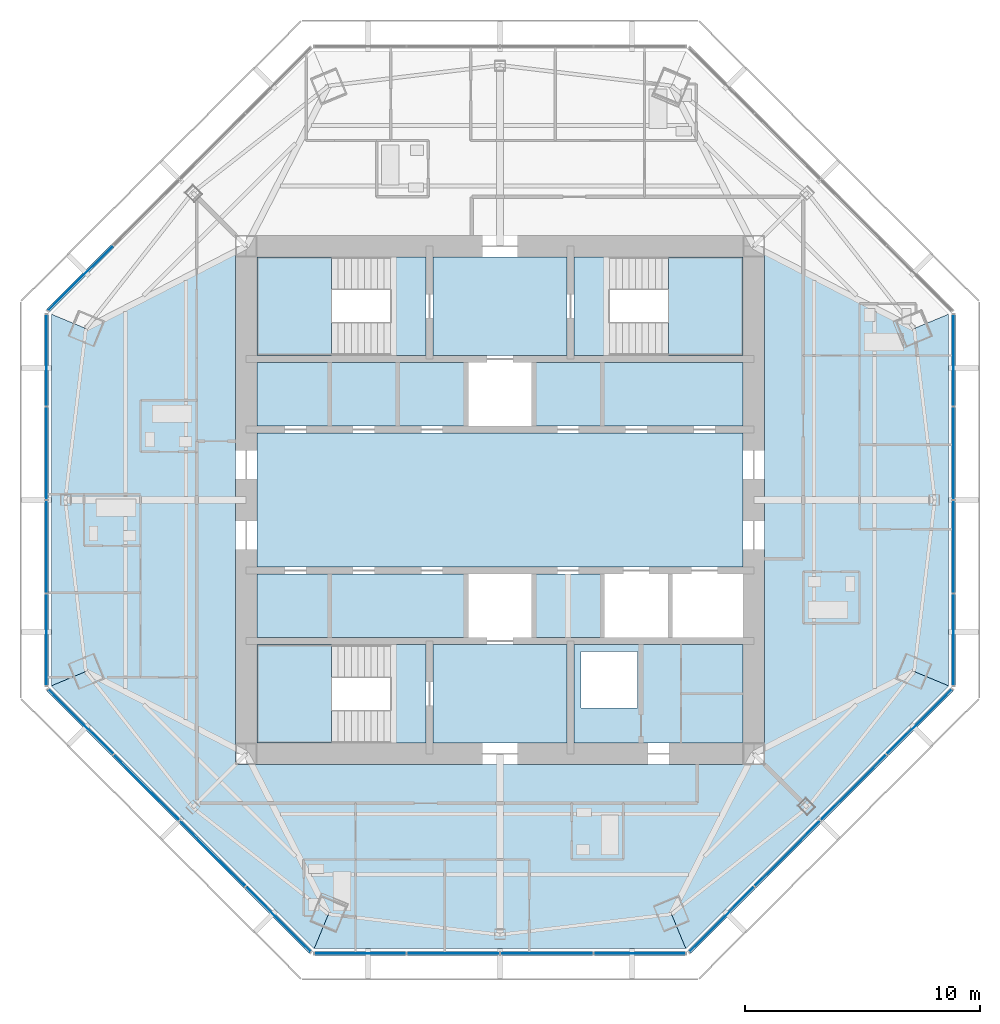
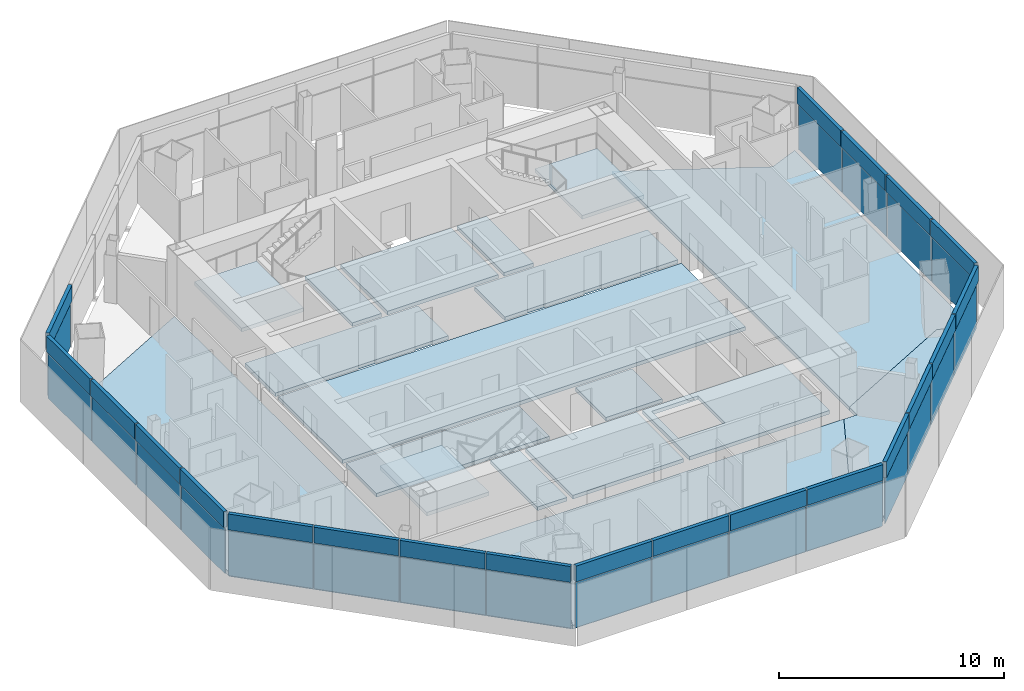
# One storey, part 7 of 15: 42 plates, 19 slabs, 9 elements without a shape of their own.
"""IFC4 building model written with IfcOpenShell, lengths in metres."""

from ifc_helpers import new_model, si_unit, direction, frame, origin, origin_2d, place, context, subcontext, project, spatial, polyline, rectangle, outline, extrude, source, transform, mapped, material, layer, layer_set, type_object, type_shapes, element, aggregate, save


model = new_model("IFC4")

# Units and contexts
model_context = context("Model", 3, precision=1e-05, world=origin(), true_north=direction((0.0, 1.0)))
body_context = subcontext(model_context, "Body", "Model", "MODEL_VIEW")
ifc_project = project(units=[si_unit("LENGTHUNIT", "METRE"), si_unit("AREAUNIT", "SQUARE_METRE"), si_unit("VOLUMEUNIT", "CUBIC_METRE"), si_unit("PLANEANGLEUNIT", "RADIAN"), si_unit("MASSUNIT", "GRAM", prefix="KILO")], contexts=[model_context])

# Site, building, storey
site_placement = place(None, origin())
site = spatial("IfcSite", under=ifc_project, at=site_placement, CompositionType="ELEMENT")
building_placement = place(site_placement, origin())
building = spatial("IfcBuilding", under=site, at=building_placement, Name="Mashrafa Tower", CompositionType="ELEMENT")
storey_placement = place(building_placement, frame((0.0, 0.0, 308.199951171875)))
storey = spatial("IfcBuildingStorey", under=building, at=storey_placement, Name="L76", CompositionType="ELEMENT", Elevation=308.199951171875)

# Slabs
ifc_material_1 = material(Name="Concrete C35/45", Category="concrete")
ifc_layer_1 = layer(ifc_material_1, 0.199951171875)
ifc_layer_set_1 = layer_set([ifc_layer_1], Name="Floor slab 200")
slab_type_1 = type_object("IfcSlabType", Name="Floor slab 200", PredefinedType="FLOOR", material=ifc_layer_set_1)
slab_1_placement = place(storey_placement, frame((0.0, 0.0, -0.199951171875)))
element("IfcSlab", 1, at=slab_1_placement, inside=storey, type_object=slab_type_1, Name="Floor slab L76 east bay", PredefinedType="FLOOR", context=body_context, shape_type="SweptSolid", body=[
    extrude(outline(polyline([(19.09619140625, -7.909912109375), (17.62353515625, -7.2998046875), (11.25, -10.569091796875), (11.25, 10.569091796875), (17.62353515625, 7.2998046875), (19.09619140625, 7.909912109375), (19.09619140625, -7.909912109375)])), origin(), (0.0, 0.0, 1.0), 0.199951171875),
])
slab_2_placement = place(storey_placement, frame((0.0, 0.0, -0.199951171875)))
element("IfcSlab", 2, at=slab_2_placement, inside=storey, type_object=slab_type_1, Name="Floor slab L76 west bay", PredefinedType="FLOOR", context=body_context, shape_type="SweptSolid", body=[
    extrude(outline(polyline([(-19.09619140625, 7.909912109375), (-17.62353515625, 7.2998046875), (-11.25, 10.569091796875), (-11.25, -10.569091796875), (-17.62353515625, -7.2998046875), (-19.09619140625, -7.909912109375), (-19.09619140625, 7.909912109375)])), origin(), (0.0, 0.0, 1.0), 0.199951171875),
])
slab_3_placement = place(storey_placement, frame((0.0, 0.0, -0.199951171875)))
element("IfcSlab", 3, at=slab_3_placement, inside=storey, type_object=slab_type_1, Name="Floor slab L76 south-west bay", PredefinedType="FLOOR", context=body_context, shape_type="SweptSolid", body=[
    extrude(outline(polyline([(-7.909912109375, -19.09619140625), (-19.09619140625, -7.909912109375), (-19.09619140625, -7.909912109375), (-17.62353515625, -7.2998046875), (-11.25, -10.569091796875), (-11.25, -11.25), (-10.569091796875, -11.25), (-7.2998046875, -17.62353515625), (-7.909912109375, -19.09619140625), (-7.909912109375, -19.09619140625)])), origin(), (0.0, 0.0, 1.0), 0.199951171875),
])
slab_4_placement = place(storey_placement, frame((0.0, 0.0, -0.199951171875)))
element("IfcSlab", 4, at=slab_4_placement, inside=storey, type_object=slab_type_1, Name="Floor slab L76 south bay", PredefinedType="FLOOR", context=body_context, shape_type="SweptSolid", body=[
    extrude(outline(polyline([(-7.909912109375, -19.09619140625), (-7.2998046875, -17.62353515625), (-10.569091796875, -11.25), (10.569091796875, -11.25), (7.2998046875, -17.62353515625), (7.909912109375, -19.09619140625), (-7.909912109375, -19.09619140625)])), origin(), (0.0, 0.0, 1.0), 0.199951171875),
])
slab_5_placement = place(storey_placement, frame((0.0, 0.0, -0.199951171875)))
element("IfcSlab", 5, at=slab_5_placement, inside=storey, type_object=slab_type_1, Name="Floor slab L76 south-east bay", PredefinedType="FLOOR", context=body_context, shape_type="SweptSolid", body=[
    extrude(outline(polyline([(7.909912109375, -19.09619140625), (7.2998046875, -17.62353515625), (10.569091796875, -11.25), (11.25, -11.25), (11.25, -10.569091796875), (17.62353515625, -7.2998046875), (19.09619140625, -7.909912109375), (19.09619140625, -7.909912109375), (7.909912109375, -19.09619140625), (7.909912109375, -19.09619140625)])), origin(), (0.0, 0.0, 1.0), 0.199951171875),
])
slab_6_placement = place(storey_placement, frame((0.0, 0.0, -0.199951171875)))
element("IfcSlab", 6, at=slab_6_placement, inside=storey, type_object=slab_type_1, Name="Core floor lift hall L76", PredefinedType="FLOOR", context=body_context, shape_type="SweptSolid", body=[
    extrude(outline(polyline([(-10.35009765625, 2.85009765625), (10.35009765625, 2.85009765625), (10.35009765625, -2.85009765625), (-10.35009765625, -2.85009765625), (-10.35009765625, 2.85009765625)])), origin(), (0.0, 0.0, 1.0), 0.199951171875),
])
slab_7_placement = place(storey_placement, frame((0.0, 0.0, -0.199951171875)))
element("IfcSlab", 7, at=slab_7_placement, inside=storey, type_object=slab_type_1, Name="Core floor riser and electrical band L76", PredefinedType="FLOOR", context=body_context, shape_type="SweptSolid", body=[
    extrude(outline(polyline([(10.35009765625, -6.14990234375), (10.35009765625, -10.35009765625), (3.14990234375, -10.35009765625), (3.14990234375, -6.14990234375), (10.35009765625, -6.14990234375)]), holes=[polyline([(3.449951171875, -8.85009765625), (5.85009765625, -8.85009765625), (5.85009765625, -6.449951171875), (3.449951171875, -6.449951171875), (3.449951171875, -8.85009765625)])]), origin(), (0.0, 0.0, 1.0), 0.199951171875),
])
slab_8_placement = place(storey_placement, frame((0.0, 0.0, -0.199951171875)))
element("IfcSlab", 8, at=slab_8_placement, inside=storey, type_object=slab_type_1, Name="Core floor lift cell L76", PredefinedType="FLOOR", context=body_context, shape_type="SweptSolid", body=[
    extrude(outline(polyline([(10.35009765625, 5.85009765625), (10.35009765625, 3.14990234375), (1.449951171875, 3.14990234375), (1.449951171875, 5.85009765625), (10.35009765625, 5.85009765625)])), origin(), (0.0, 0.0, 1.0), 0.199951171875),
])
slab_9_placement = place(storey_placement, frame((0.0, 0.0, -0.199951171875)))
element("IfcSlab", 9, at=slab_9_placement, inside=storey, type_object=slab_type_1, Name="Core floor lift cell L76", PredefinedType="FLOOR", context=body_context, shape_type="SweptSolid", body=[
    extrude(outline(polyline([(-1.449951171875, 3.14990234375), (-10.35009765625, 3.14990234375), (-10.35009765625, 5.85009765625), (-1.449951171875, 5.85009765625), (-1.449951171875, 3.14990234375)])), origin(), (0.0, 0.0, 1.0), 0.199951171875),
])
slab_10_placement = place(storey_placement, frame((0.0, 0.0, -0.199951171875)))
element("IfcSlab", 10, at=slab_10_placement, inside=storey, type_object=slab_type_1, Name="Core floor lift cell L76", PredefinedType="FLOOR", context=body_context, shape_type="SweptSolid", body=[
    extrude(outline(polyline([(-1.449951171875, -3.14990234375), (-1.449951171875, -5.85009765625), (-10.35009765625, -5.85009765625), (-10.35009765625, -3.14990234375), (-1.449951171875, -3.14990234375)])), origin(), (0.0, 0.0, 1.0), 0.199951171875),
])
slab_11_placement = place(storey_placement, frame((0.0, 0.0, -0.199951171875)))
element("IfcSlab", 11, at=slab_11_placement, inside=storey, type_object=slab_type_1, Name="Core floor fire-fighting lobby south L76", PredefinedType="FLOOR", context=body_context, shape_type="SweptSolid", body=[
    extrude(outline(polyline([(2.85009765625, -6.14990234375), (2.85009765625, -10.35009765625), (-2.85009765625, -10.35009765625), (-2.85009765625, -6.14990234375), (2.85009765625, -6.14990234375)])), origin(), (0.0, 0.0, 1.0), 0.199951171875),
])
slab_12_placement = place(storey_placement, frame((0.0, 0.0, -0.199951171875)))
element("IfcSlab", 12, at=slab_12_placement, inside=storey, type_object=slab_type_1, Name="Core floor fire-fighting lobby north L76", PredefinedType="FLOOR", context=body_context, shape_type="SweptSolid", body=[
    extrude(outline(polyline([(-2.85009765625, 10.35009765625), (2.85009765625, 10.35009765625), (2.85009765625, 6.14990234375), (-2.85009765625, 6.14990234375), (-2.85009765625, 10.35009765625)])), origin(), (0.0, 0.0, 1.0), 0.199951171875),
])
slab_13_placement = place(storey_placement, frame((0.0, 0.0, -0.199951171875)))
element("IfcSlab", 13, at=slab_13_placement, inside=storey, type_object=slab_type_1, Name="Core floor lift cell L76", PredefinedType="FLOOR", context=body_context, shape_type="SweptSolid", body=[
    extrude(outline(polyline([(4.35009765625, -3.14990234375), (4.35009765625, -5.85009765625), (1.449951171875, -5.85009765625), (1.449951171875, -3.14990234375), (4.35009765625, -3.14990234375)])), origin(), (0.0, 0.0, 1.0), 0.199951171875),
])

# Stair, slabs
ifc_material_2 = material(Name="Exit stair 1400")
stair_type = type_object("IfcStairType", Name="Exit stair 1400", PredefinedType="HALF_TURN_STAIR", material=ifc_material_2)
stair_1_placement = place(storey_placement, origin())
stair_1 = element("IfcStair", 14, at=stair_1_placement, inside=storey, type_object=stair_type, Name="Stair S1 L76", PredefinedType="HALF_TURN_STAIR")
ifc_material_3 = material(Name="Concrete C32/40", Category="concrete")
ifc_layer_2 = layer(ifc_material_3, 0.199951171875)
ifc_layer_set_2 = layer_set([ifc_layer_2], Name="Stair landing 200")
slab_type_2 = type_object("IfcSlabType", Name="Stair landing 200", PredefinedType="LANDING", material=ifc_layer_set_2)
slab_14_placement = place(storey_placement, frame((0.0, 0.0, -0.199951171875)))
slab_14 = element("IfcSlab", 15, at=slab_14_placement, type_object=slab_type_2, Name="S1 landing 1", PredefinedType="LANDING", context=body_context, shape_type="SweptSolid", body=[
    extrude(outline(polyline([(-4.659912109375, 6.14990234375), (-3.14990234375, 6.14990234375), (-3.14990234375, 10.35009765625), (-4.659912109375, 10.35009765625), (-4.659912109375, 6.14990234375)])), origin(), (0.0, 0.0, 1.0), 0.199951171875),
])
slab_15_placement = place(storey_placement, frame((0.0, 0.0, 1.5)))
slab_15 = element("IfcSlab", 16, at=slab_15_placement, type_object=slab_type_2, Name="S1 landing 2", PredefinedType="LANDING", context=body_context, shape_type="SweptSolid", body=[
    extrude(outline(polyline([(-10.35009765625, 6.14990234375), (-7.159912109375, 6.14990234375), (-7.159912109375, 10.35009765625), (-10.35009765625, 10.35009765625), (-10.35009765625, 6.14990234375)])), origin(), (0.0, 0.0, 1.0), 0.199951171875),
])
aggregate(stair_1, [slab_14, slab_15])

stair_2_placement = place(storey_placement, origin())
stair_2 = element("IfcStair", 17, at=stair_2_placement, inside=storey, type_object=stair_type, Name="Stair S2 L76", PredefinedType="HALF_TURN_STAIR")
slab_16_placement = place(storey_placement, frame((0.0, 0.0, -0.199951171875)))
slab_16 = element("IfcSlab", 18, at=slab_16_placement, type_object=slab_type_2, Name="S2 landing 1", PredefinedType="LANDING", context=body_context, shape_type="SweptSolid", body=[
    extrude(outline(polyline([(3.14990234375, 6.14990234375), (4.659912109375, 6.14990234375), (4.659912109375, 10.35009765625), (3.14990234375, 10.35009765625), (3.14990234375, 6.14990234375)])), origin(), (0.0, 0.0, 1.0), 0.199951171875),
])
slab_17_placement = place(storey_placement, frame((0.0, 0.0, 1.5)))
slab_17 = element("IfcSlab", 19, at=slab_17_placement, type_object=slab_type_2, Name="S2 landing 2", PredefinedType="LANDING", context=body_context, shape_type="SweptSolid", body=[
    extrude(outline(polyline([(7.159912109375, 6.14990234375), (10.35009765625, 6.14990234375), (10.35009765625, 10.35009765625), (7.159912109375, 10.35009765625), (7.159912109375, 6.14990234375)])), origin(), (0.0, 0.0, 1.0), 0.199951171875),
])
aggregate(stair_2, [slab_16, slab_17])

stair_3_placement = place(storey_placement, origin())
stair_3 = element("IfcStair", 20, at=stair_3_placement, inside=storey, type_object=stair_type, Name="Stair S3 L76", PredefinedType="HALF_TURN_STAIR")
slab_18_placement = place(storey_placement, frame((0.0, 0.0, -0.199951171875)))
slab_18 = element("IfcSlab", 21, at=slab_18_placement, type_object=slab_type_2, Name="S3 landing 1", PredefinedType="LANDING", context=body_context, shape_type="SweptSolid", body=[
    extrude(outline(polyline([(-4.659912109375, -10.35009765625), (-3.14990234375, -10.35009765625), (-3.14990234375, -6.14990234375), (-4.659912109375, -6.14990234375), (-4.659912109375, -10.35009765625)])), origin(), (0.0, 0.0, 1.0), 0.199951171875),
])
slab_19_placement = place(storey_placement, frame((0.0, 0.0, 1.5)))
slab_19 = element("IfcSlab", 22, at=slab_19_placement, type_object=slab_type_2, Name="S3 landing 2", PredefinedType="LANDING", context=body_context, shape_type="SweptSolid", body=[
    extrude(outline(polyline([(-10.35009765625, -10.35009765625), (-7.159912109375, -10.35009765625), (-7.159912109375, -6.14990234375), (-10.35009765625, -6.14990234375), (-10.35009765625, -10.35009765625)])), origin(), (0.0, 0.0, 1.0), 0.199951171875),
])
aggregate(stair_3, [slab_18, slab_19])

# Curtain wall, plates
ifc_material_4 = material(Name="Unitised aluminium curtain wall", Category="aluminium")
curtain_wall_type = type_object("IfcCurtainWallType", Name="Apartment curtain wall, zone 4 CW-D 160 deep", PredefinedType="NOTDEFINED", material=ifc_material_4)
curtain_wall_1_placement = place(storey_placement, origin())
curtain_wall_1 = element("IfcCurtainWall", 23, at=curtain_wall_1_placement, inside=storey, type_object=curtain_wall_type, Name="Apartment curtain wall, zone 4 L76 east", PredefinedType="NOTDEFINED")
ifc_material_5 = material(Name="Insulated double glazing, acoustic", Category="glass")
ifc_layer_3 = layer(ifc_material_5, 0.028076171875)
ifc_layer_set_3 = layer_set([ifc_layer_3], Name="Vision panel CW-D 28")
plate_type_1 = type_object("IfcPlateType", Name="Vision panel CW-D 28", PredefinedType="CURTAIN_PANEL", material=ifc_layer_set_3)
shared_shape_1 = source(origin(), body_context, "Body", "SweptSolid", [
    extrude(rectangle(XDim=3.884765625, YDim=0.028076171875, at=origin_2d()), origin(), (0.0, 0.0, 1.0), 2.46240234375),
])
plate_1_placement = place(storey_placement, frame((19.296142578125, -5.947265625, 0.0), z_axis=(0.0, 0.0, 1.0), x_axis=(0.0, 1.0, 0.0)))
plate_1 = element("IfcPlate", 24, at=plate_1_placement, type_object=plate_type_1, Name="CW-D vision panel 1", PredefinedType="CURTAIN_PANEL", context=body_context, shape_type="MappedRepresentation", body=[
    mapped(shared_shape_1, transform((0.0, 0.0, 0.0))),
])
plate_2_placement = place(storey_placement, frame((19.296142578125, 5.947265625, 0.0), z_axis=(0.0, 0.0, 1.0), x_axis=(0.0, 1.0, 0.0)))
plate_2 = element("IfcPlate", 25, at=plate_2_placement, type_object=plate_type_1, Name="CW-D vision panel 4", PredefinedType="CURTAIN_PANEL", context=body_context, shape_type="MappedRepresentation", body=[
    mapped(shared_shape_1, transform((0.0, 0.0, 0.0))),
])

# Curtain wall, plate
curtain_wall_2_placement = place(storey_placement, origin())
curtain_wall_2 = element("IfcCurtainWall", 26, at=curtain_wall_2_placement, inside=storey, type_object=curtain_wall_type, Name="Apartment curtain wall, zone 4 L76 north-west", PredefinedType="NOTDEFINED")
plate_3_placement = place(storey_placement, frame((-17.849853515625, 9.439208984375, 0.0), z_axis=(0.0, 0.0, 1.0), x_axis=(-0.707106781187, -0.707106781187, 0.0)))
plate_3 = element("IfcPlate", 27, at=plate_3_placement, type_object=plate_type_1, Name="CW-D vision panel 4", PredefinedType="CURTAIN_PANEL", context=body_context, shape_type="MappedRepresentation", body=[
    mapped(shared_shape_1, transform((0.0, 0.0, 0.0))),
])

# Curtain wall, plates
curtain_wall_3_placement = place(storey_placement, origin())
curtain_wall_3 = element("IfcCurtainWall", 28, at=curtain_wall_3_placement, inside=storey, type_object=curtain_wall_type, Name="Apartment curtain wall, zone 4 L76 west", PredefinedType="NOTDEFINED")
plate_4_placement = place(storey_placement, frame((-19.296142578125, 5.947265625, 0.0), z_axis=(0.0, 0.0, 1.0), x_axis=(0.0, -1.0, 0.0)))
plate_4 = element("IfcPlate", 29, at=plate_4_placement, type_object=plate_type_1, Name="CW-D vision panel 1", PredefinedType="CURTAIN_PANEL", context=body_context, shape_type="MappedRepresentation", body=[
    mapped(shared_shape_1, transform((0.0, 0.0, 0.0))),
])
plate_5_placement = place(storey_placement, frame((-19.296142578125, -5.947265625, 0.0), z_axis=(0.0, 0.0, 1.0), x_axis=(0.0, -1.0, 0.0)))
plate_5 = element("IfcPlate", 30, at=plate_5_placement, type_object=plate_type_1, Name="CW-D vision panel 4", PredefinedType="CURTAIN_PANEL", context=body_context, shape_type="MappedRepresentation", body=[
    mapped(shared_shape_1, transform((0.0, 0.0, 0.0))),
])

curtain_wall_4_placement = place(storey_placement, origin())
curtain_wall_4 = element("IfcCurtainWall", 31, at=curtain_wall_4_placement, inside=storey, type_object=curtain_wall_type, Name="Apartment curtain wall, zone 4 L76 south-west", PredefinedType="NOTDEFINED")
plate_6_placement = place(storey_placement, frame((-17.849853515625, -9.439208984375, 0.0), z_axis=(0.0, 0.0, 1.0), x_axis=(0.707106781187, -0.707106781187, 0.0)))
plate_6 = element("IfcPlate", 32, at=plate_6_placement, type_object=plate_type_1, Name="CW-D vision panel 1", PredefinedType="CURTAIN_PANEL", context=body_context, shape_type="MappedRepresentation", body=[
    mapped(shared_shape_1, transform((0.0, 0.0, 0.0))),
])
plate_7_placement = place(storey_placement, frame((-9.439208984375, -17.849853515625, 0.0), z_axis=(0.0, 0.0, 1.0), x_axis=(0.707106781187, -0.707106781187, 0.0)))
plate_7 = element("IfcPlate", 33, at=plate_7_placement, type_object=plate_type_1, Name="CW-D vision panel 4", PredefinedType="CURTAIN_PANEL", context=body_context, shape_type="MappedRepresentation", body=[
    mapped(shared_shape_1, transform((0.0, 0.0, 0.0))),
])

curtain_wall_5_placement = place(storey_placement, origin())
curtain_wall_5 = element("IfcCurtainWall", 34, at=curtain_wall_5_placement, inside=storey, type_object=curtain_wall_type, Name="Apartment curtain wall, zone 4 L76 south", PredefinedType="NOTDEFINED")
plate_8_placement = place(storey_placement, frame((-5.947265625, -19.296142578125, 0.0), z_axis=(0.0, 0.0, 1.0), x_axis=(1.0, 0.0, 0.0)))
plate_8 = element("IfcPlate", 35, at=plate_8_placement, type_object=plate_type_1, Name="CW-D vision panel 1", PredefinedType="CURTAIN_PANEL", context=body_context, shape_type="MappedRepresentation", body=[
    mapped(shared_shape_1, transform((0.0, 0.0, 0.0))),
])
plate_9_placement = place(storey_placement, frame((5.947265625, -19.296142578125, 0.0), z_axis=(0.0, 0.0, 1.0), x_axis=(1.0, 0.0, 0.0)))
plate_9 = element("IfcPlate", 36, at=plate_9_placement, type_object=plate_type_1, Name="CW-D vision panel 4", PredefinedType="CURTAIN_PANEL", context=body_context, shape_type="MappedRepresentation", body=[
    mapped(shared_shape_1, transform((0.0, 0.0, 0.0))),
])

curtain_wall_6_placement = place(storey_placement, origin())
curtain_wall_6 = element("IfcCurtainWall", 37, at=curtain_wall_6_placement, inside=storey, type_object=curtain_wall_type, Name="Apartment curtain wall, zone 4 L76 south-east", PredefinedType="NOTDEFINED")
plate_10_placement = place(storey_placement, frame((9.439208984375, -17.849853515625, 0.0), z_axis=(0.0, 0.0, 1.0), x_axis=(0.707106781187, 0.707106781187, 0.0)))
plate_10 = element("IfcPlate", 38, at=plate_10_placement, type_object=plate_type_1, Name="CW-D vision panel 1", PredefinedType="CURTAIN_PANEL", context=body_context, shape_type="MappedRepresentation", body=[
    mapped(shared_shape_1, transform((0.0, 0.0, 0.0))),
])
plate_11_placement = place(storey_placement, frame((17.849853515625, -9.439208984375, 0.0), z_axis=(0.0, 0.0, 1.0), x_axis=(0.707106781187, 0.707106781187, 0.0)))
plate_11 = element("IfcPlate", 39, at=plate_11_placement, type_object=plate_type_1, Name="CW-D vision panel 4", PredefinedType="CURTAIN_PANEL", context=body_context, shape_type="MappedRepresentation", body=[
    mapped(shared_shape_1, transform((0.0, 0.0, 0.0))),
])

# Plate
ifc_material_6 = material(Name="Insulated bronze aluminium spandrel panel", Category="aluminium")
ifc_layer_4 = layer(ifc_material_6, 0.179931640625)
ifc_layer_set_4 = layer_set([ifc_layer_4], Name="Spandrel panel CW-D 180")
plate_type_2 = type_object("IfcPlateType", Name="Spandrel panel CW-D 180", PredefinedType="CURTAIN_PANEL", material=ifc_layer_set_4)
shared_shape_2 = source(origin(), body_context, "Body", "SweptSolid", [
    extrude(rectangle(XDim=3.884765625, YDim=0.179931640625, at=origin_2d()), origin(), (0.0, 0.0, 1.0), 0.862548828125),
])
plate_12_placement = place(storey_placement, frame((19.296142578125, -5.947265625, 2.53759765625), z_axis=(0.0, 0.0, 1.0), x_axis=(0.0, 1.0, 0.0)))
plate_12 = element("IfcPlate", 40, at=plate_12_placement, type_object=plate_type_2, Name="CW-D spandrel panel 1", PredefinedType="CURTAIN_PANEL", context=body_context, shape_type="MappedRepresentation", body=[
    mapped(shared_shape_2, transform((0.0, 0.0, 0.0))),
])

plate_13_placement = place(storey_placement, frame((19.296142578125, 5.947265625, 2.53759765625), z_axis=(0.0, 0.0, 1.0), x_axis=(0.0, 1.0, 0.0)))
plate_13 = element("IfcPlate", 41, at=plate_13_placement, type_object=plate_type_2, Name="CW-D spandrel panel 4", PredefinedType="CURTAIN_PANEL", context=body_context, shape_type="MappedRepresentation", body=[
    mapped(shared_shape_2, transform((0.0, 0.0, 0.0))),
])

plate_14_placement = place(storey_placement, frame((-17.849853515625, 9.439208984375, 2.53759765625), z_axis=(0.0, 0.0, 1.0), x_axis=(-0.707106781187, -0.707106781187, 0.0)))
plate_14 = element("IfcPlate", 42, at=plate_14_placement, type_object=plate_type_2, Name="CW-D spandrel panel 4", PredefinedType="CURTAIN_PANEL", context=body_context, shape_type="MappedRepresentation", body=[
    mapped(shared_shape_2, transform((0.0, 0.0, 0.0))),
])

aggregate(curtain_wall_2, [plate_3, plate_14])

plate_15_placement = place(storey_placement, frame((-19.296142578125, 5.947265625, 2.53759765625), z_axis=(0.0, 0.0, 1.0), x_axis=(0.0, -1.0, 0.0)))
plate_15 = element("IfcPlate", 43, at=plate_15_placement, type_object=plate_type_2, Name="CW-D spandrel panel 1", PredefinedType="CURTAIN_PANEL", context=body_context, shape_type="MappedRepresentation", body=[
    mapped(shared_shape_2, transform((0.0, 0.0, 0.0))),
])

plate_16_placement = place(storey_placement, frame((-19.296142578125, -5.947265625, 2.53759765625), z_axis=(0.0, 0.0, 1.0), x_axis=(0.0, -1.0, 0.0)))
plate_16 = element("IfcPlate", 44, at=plate_16_placement, type_object=plate_type_2, Name="CW-D spandrel panel 4", PredefinedType="CURTAIN_PANEL", context=body_context, shape_type="MappedRepresentation", body=[
    mapped(shared_shape_2, transform((0.0, 0.0, 0.0))),
])

plate_17_placement = place(storey_placement, frame((-17.849853515625, -9.439208984375, 2.53759765625), z_axis=(0.0, 0.0, 1.0), x_axis=(0.707106781187, -0.707106781187, 0.0)))
plate_17 = element("IfcPlate", 45, at=plate_17_placement, type_object=plate_type_2, Name="CW-D spandrel panel 1", PredefinedType="CURTAIN_PANEL", context=body_context, shape_type="MappedRepresentation", body=[
    mapped(shared_shape_2, transform((0.0, 0.0, 0.0))),
])

plate_18_placement = place(storey_placement, frame((-9.439208984375, -17.849853515625, 2.53759765625), z_axis=(0.0, 0.0, 1.0), x_axis=(0.707106781187, -0.707106781187, 0.0)))
plate_18 = element("IfcPlate", 46, at=plate_18_placement, type_object=plate_type_2, Name="CW-D spandrel panel 4", PredefinedType="CURTAIN_PANEL", context=body_context, shape_type="MappedRepresentation", body=[
    mapped(shared_shape_2, transform((0.0, 0.0, 0.0))),
])

plate_19_placement = place(storey_placement, frame((-5.947265625, -19.296142578125, 2.53759765625), z_axis=(0.0, 0.0, 1.0), x_axis=(1.0, 0.0, 0.0)))
plate_19 = element("IfcPlate", 47, at=plate_19_placement, type_object=plate_type_2, Name="CW-D spandrel panel 1", PredefinedType="CURTAIN_PANEL", context=body_context, shape_type="MappedRepresentation", body=[
    mapped(shared_shape_2, transform((0.0, 0.0, 0.0))),
])

plate_20_placement = place(storey_placement, frame((5.947265625, -19.296142578125, 2.53759765625), z_axis=(0.0, 0.0, 1.0), x_axis=(1.0, 0.0, 0.0)))
plate_20 = element("IfcPlate", 48, at=plate_20_placement, type_object=plate_type_2, Name="CW-D spandrel panel 4", PredefinedType="CURTAIN_PANEL", context=body_context, shape_type="MappedRepresentation", body=[
    mapped(shared_shape_2, transform((0.0, 0.0, 0.0))),
])

plate_21_placement = place(storey_placement, frame((9.439208984375, -17.849853515625, 2.53759765625), z_axis=(0.0, 0.0, 1.0), x_axis=(0.707106781187, 0.707106781187, 0.0)))
plate_21 = element("IfcPlate", 49, at=plate_21_placement, type_object=plate_type_2, Name="CW-D spandrel panel 1", PredefinedType="CURTAIN_PANEL", context=body_context, shape_type="MappedRepresentation", body=[
    mapped(shared_shape_2, transform((0.0, 0.0, 0.0))),
])

plate_22_placement = place(storey_placement, frame((17.849853515625, -9.439208984375, 2.53759765625), z_axis=(0.0, 0.0, 1.0), x_axis=(0.707106781187, 0.707106781187, 0.0)))
plate_22 = element("IfcPlate", 50, at=plate_22_placement, type_object=plate_type_2, Name="CW-D spandrel panel 4", PredefinedType="CURTAIN_PANEL", context=body_context, shape_type="MappedRepresentation", body=[
    mapped(shared_shape_2, transform((0.0, 0.0, 0.0))),
])

shared_shape_3 = source(origin(), body_context, "Body", "SweptSolid", [
    extrude(rectangle(XDim=3.914794921875, YDim=0.028076171875, at=origin_2d()), origin(), (0.0, 0.0, 1.0), 2.46240234375),
])
type_shapes(plate_type_1, [shared_shape_1, shared_shape_3])
plate_23_placement = place(storey_placement, frame((19.296142578125, -1.9873046875, 0.0), z_axis=(0.0, 0.0, 1.0), x_axis=(0.0, 1.0, 0.0)))
plate_23 = element("IfcPlate", 51, at=plate_23_placement, type_object=plate_type_1, Name="CW-D vision panel 2", PredefinedType="CURTAIN_PANEL", context=body_context, shape_type="MappedRepresentation", body=[
    mapped(shared_shape_3, transform((0.0, 0.0, 0.0))),
])

plate_24_placement = place(storey_placement, frame((19.296142578125, 1.9873046875, 0.0), z_axis=(0.0, 0.0, 1.0), x_axis=(0.0, 1.0, 0.0)))
plate_24 = element("IfcPlate", 52, at=plate_24_placement, type_object=plate_type_1, Name="CW-D vision panel 3", PredefinedType="CURTAIN_PANEL", context=body_context, shape_type="MappedRepresentation", body=[
    mapped(shared_shape_3, transform((0.0, 0.0, 0.0))),
])

plate_25_placement = place(storey_placement, frame((-19.296142578125, 1.9873046875, 0.0), z_axis=(0.0, 0.0, 1.0), x_axis=(0.0, -1.0, 0.0)))
plate_25 = element("IfcPlate", 53, at=plate_25_placement, type_object=plate_type_1, Name="CW-D vision panel 2", PredefinedType="CURTAIN_PANEL", context=body_context, shape_type="MappedRepresentation", body=[
    mapped(shared_shape_3, transform((0.0, 0.0, 0.0))),
])

plate_26_placement = place(storey_placement, frame((-19.296142578125, -1.9873046875, 0.0), z_axis=(0.0, 0.0, 1.0), x_axis=(0.0, -1.0, 0.0)))
plate_26 = element("IfcPlate", 54, at=plate_26_placement, type_object=plate_type_1, Name="CW-D vision panel 3", PredefinedType="CURTAIN_PANEL", context=body_context, shape_type="MappedRepresentation", body=[
    mapped(shared_shape_3, transform((0.0, 0.0, 0.0))),
])

plate_27_placement = place(storey_placement, frame((-15.0498046875, -12.2392578125, 0.0), z_axis=(0.0, 0.0, 1.0), x_axis=(0.707106781187, -0.707106781187, 0.0)))
plate_27 = element("IfcPlate", 55, at=plate_27_placement, type_object=plate_type_1, Name="CW-D vision panel 2", PredefinedType="CURTAIN_PANEL", context=body_context, shape_type="MappedRepresentation", body=[
    mapped(shared_shape_3, transform((0.0, 0.0, 0.0))),
])

plate_28_placement = place(storey_placement, frame((-12.2392578125, -15.0498046875, 0.0), z_axis=(0.0, 0.0, 1.0), x_axis=(0.707106781187, -0.707106781187, 0.0)))
plate_28 = element("IfcPlate", 56, at=plate_28_placement, type_object=plate_type_1, Name="CW-D vision panel 3", PredefinedType="CURTAIN_PANEL", context=body_context, shape_type="MappedRepresentation", body=[
    mapped(shared_shape_3, transform((0.0, 0.0, 0.0))),
])

plate_29_placement = place(storey_placement, frame((-1.9873046875, -19.296142578125, 0.0), z_axis=(0.0, 0.0, 1.0), x_axis=(1.0, 0.0, 0.0)))
plate_29 = element("IfcPlate", 57, at=plate_29_placement, type_object=plate_type_1, Name="CW-D vision panel 2", PredefinedType="CURTAIN_PANEL", context=body_context, shape_type="MappedRepresentation", body=[
    mapped(shared_shape_3, transform((0.0, 0.0, 0.0))),
])

plate_30_placement = place(storey_placement, frame((1.9873046875, -19.296142578125, 0.0), z_axis=(0.0, 0.0, 1.0), x_axis=(1.0, 0.0, 0.0)))
plate_30 = element("IfcPlate", 58, at=plate_30_placement, type_object=plate_type_1, Name="CW-D vision panel 3", PredefinedType="CURTAIN_PANEL", context=body_context, shape_type="MappedRepresentation", body=[
    mapped(shared_shape_3, transform((0.0, 0.0, 0.0))),
])

plate_31_placement = place(storey_placement, frame((12.2392578125, -15.0498046875, 0.0), z_axis=(0.0, 0.0, 1.0), x_axis=(0.707106781187, 0.707106781187, 0.0)))
plate_31 = element("IfcPlate", 59, at=plate_31_placement, type_object=plate_type_1, Name="CW-D vision panel 2", PredefinedType="CURTAIN_PANEL", context=body_context, shape_type="MappedRepresentation", body=[
    mapped(shared_shape_3, transform((0.0, 0.0, 0.0))),
])

plate_32_placement = place(storey_placement, frame((15.0498046875, -12.2392578125, 0.0), z_axis=(0.0, 0.0, 1.0), x_axis=(0.707106781187, 0.707106781187, 0.0)))
plate_32 = element("IfcPlate", 60, at=plate_32_placement, type_object=plate_type_1, Name="CW-D vision panel 3", PredefinedType="CURTAIN_PANEL", context=body_context, shape_type="MappedRepresentation", body=[
    mapped(shared_shape_3, transform((0.0, 0.0, 0.0))),
])

shared_shape_4 = source(origin(), body_context, "Body", "SweptSolid", [
    extrude(rectangle(XDim=3.914794921875, YDim=0.179931640625, at=origin_2d()), origin(), (0.0, 0.0, 1.0), 0.862548828125),
])
type_shapes(plate_type_2, [shared_shape_2, shared_shape_4])
plate_33_placement = place(storey_placement, frame((19.296142578125, -1.9873046875, 2.53759765625), z_axis=(0.0, 0.0, 1.0), x_axis=(0.0, 1.0, 0.0)))
plate_33 = element("IfcPlate", 61, at=plate_33_placement, type_object=plate_type_2, Name="CW-D spandrel panel 2", PredefinedType="CURTAIN_PANEL", context=body_context, shape_type="MappedRepresentation", body=[
    mapped(shared_shape_4, transform((0.0, 0.0, 0.0))),
])

plate_34_placement = place(storey_placement, frame((19.296142578125, 1.9873046875, 2.53759765625), z_axis=(0.0, 0.0, 1.0), x_axis=(0.0, 1.0, 0.0)))
plate_34 = element("IfcPlate", 62, at=plate_34_placement, type_object=plate_type_2, Name="CW-D spandrel panel 3", PredefinedType="CURTAIN_PANEL", context=body_context, shape_type="MappedRepresentation", body=[
    mapped(shared_shape_4, transform((0.0, 0.0, 0.0))),
])

aggregate(curtain_wall_1, [plate_1, plate_12, plate_23, plate_33, plate_24, plate_34, plate_2, plate_13])

plate_35_placement = place(storey_placement, frame((-19.296142578125, 1.9873046875, 2.53759765625), z_axis=(0.0, 0.0, 1.0), x_axis=(0.0, -1.0, 0.0)))
plate_35 = element("IfcPlate", 63, at=plate_35_placement, type_object=plate_type_2, Name="CW-D spandrel panel 2", PredefinedType="CURTAIN_PANEL", context=body_context, shape_type="MappedRepresentation", body=[
    mapped(shared_shape_4, transform((0.0, 0.0, 0.0))),
])

plate_36_placement = place(storey_placement, frame((-19.296142578125, -1.9873046875, 2.53759765625), z_axis=(0.0, 0.0, 1.0), x_axis=(0.0, -1.0, 0.0)))
plate_36 = element("IfcPlate", 64, at=plate_36_placement, type_object=plate_type_2, Name="CW-D spandrel panel 3", PredefinedType="CURTAIN_PANEL", context=body_context, shape_type="MappedRepresentation", body=[
    mapped(shared_shape_4, transform((0.0, 0.0, 0.0))),
])

aggregate(curtain_wall_3, [plate_4, plate_15, plate_25, plate_35, plate_26, plate_36, plate_5, plate_16])

plate_37_placement = place(storey_placement, frame((-15.0498046875, -12.2392578125, 2.53759765625), z_axis=(0.0, 0.0, 1.0), x_axis=(0.707106781187, -0.707106781187, 0.0)))
plate_37 = element("IfcPlate", 65, at=plate_37_placement, type_object=plate_type_2, Name="CW-D spandrel panel 2", PredefinedType="CURTAIN_PANEL", context=body_context, shape_type="MappedRepresentation", body=[
    mapped(shared_shape_4, transform((0.0, 0.0, 0.0))),
])

plate_38_placement = place(storey_placement, frame((-12.2392578125, -15.0498046875, 2.53759765625), z_axis=(0.0, 0.0, 1.0), x_axis=(0.707106781187, -0.707106781187, 0.0)))
plate_38 = element("IfcPlate", 66, at=plate_38_placement, type_object=plate_type_2, Name="CW-D spandrel panel 3", PredefinedType="CURTAIN_PANEL", context=body_context, shape_type="MappedRepresentation", body=[
    mapped(shared_shape_4, transform((0.0, 0.0, 0.0))),
])

aggregate(curtain_wall_4, [plate_6, plate_17, plate_27, plate_37, plate_28, plate_38, plate_7, plate_18])

plate_39_placement = place(storey_placement, frame((-1.9873046875, -19.296142578125, 2.53759765625), z_axis=(0.0, 0.0, 1.0), x_axis=(1.0, 0.0, 0.0)))
plate_39 = element("IfcPlate", 67, at=plate_39_placement, type_object=plate_type_2, Name="CW-D spandrel panel 2", PredefinedType="CURTAIN_PANEL", context=body_context, shape_type="MappedRepresentation", body=[
    mapped(shared_shape_4, transform((0.0, 0.0, 0.0))),
])

plate_40_placement = place(storey_placement, frame((1.9873046875, -19.296142578125, 2.53759765625), z_axis=(0.0, 0.0, 1.0), x_axis=(1.0, 0.0, 0.0)))
plate_40 = element("IfcPlate", 68, at=plate_40_placement, type_object=plate_type_2, Name="CW-D spandrel panel 3", PredefinedType="CURTAIN_PANEL", context=body_context, shape_type="MappedRepresentation", body=[
    mapped(shared_shape_4, transform((0.0, 0.0, 0.0))),
])

aggregate(curtain_wall_5, [plate_8, plate_19, plate_29, plate_39, plate_30, plate_40, plate_9, plate_20])

plate_41_placement = place(storey_placement, frame((12.2392578125, -15.0498046875, 2.53759765625), z_axis=(0.0, 0.0, 1.0), x_axis=(0.707106781187, 0.707106781187, 0.0)))
plate_41 = element("IfcPlate", 69, at=plate_41_placement, type_object=plate_type_2, Name="CW-D spandrel panel 2", PredefinedType="CURTAIN_PANEL", context=body_context, shape_type="MappedRepresentation", body=[
    mapped(shared_shape_4, transform((0.0, 0.0, 0.0))),
])

plate_42_placement = place(storey_placement, frame((15.0498046875, -12.2392578125, 2.53759765625), z_axis=(0.0, 0.0, 1.0), x_axis=(0.707106781187, 0.707106781187, 0.0)))
plate_42 = element("IfcPlate", 70, at=plate_42_placement, type_object=plate_type_2, Name="CW-D spandrel panel 3", PredefinedType="CURTAIN_PANEL", context=body_context, shape_type="MappedRepresentation", body=[
    mapped(shared_shape_4, transform((0.0, 0.0, 0.0))),
])

aggregate(curtain_wall_6, [plate_10, plate_21, plate_31, plate_41, plate_32, plate_42, plate_11, plate_22])

save(model, "model.ifc")
